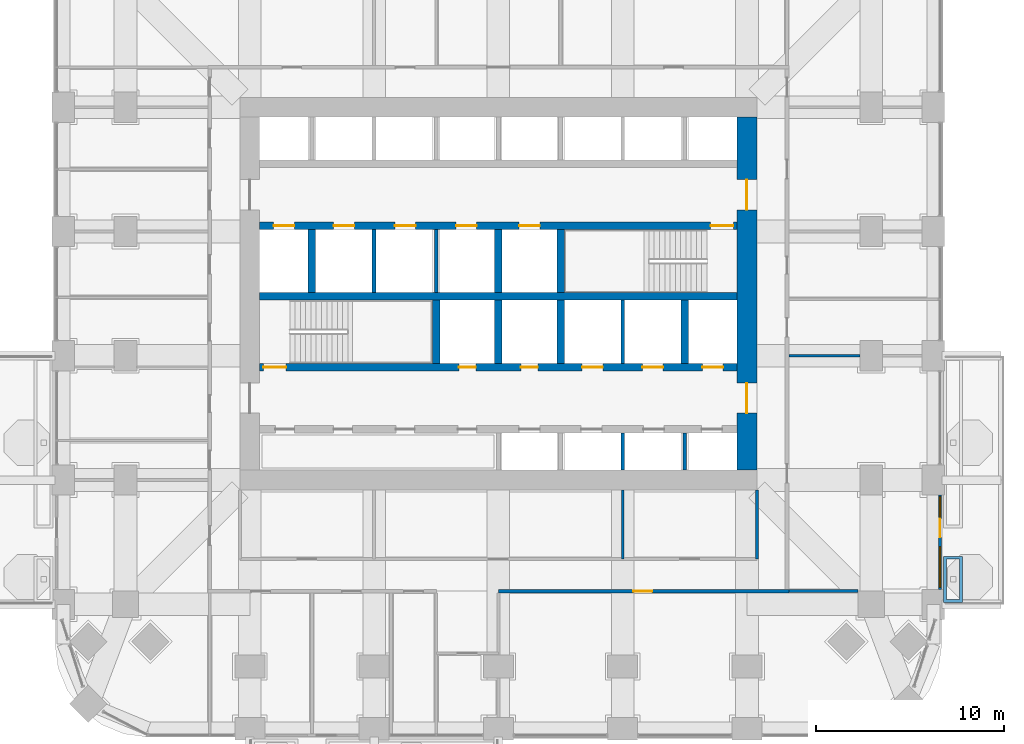
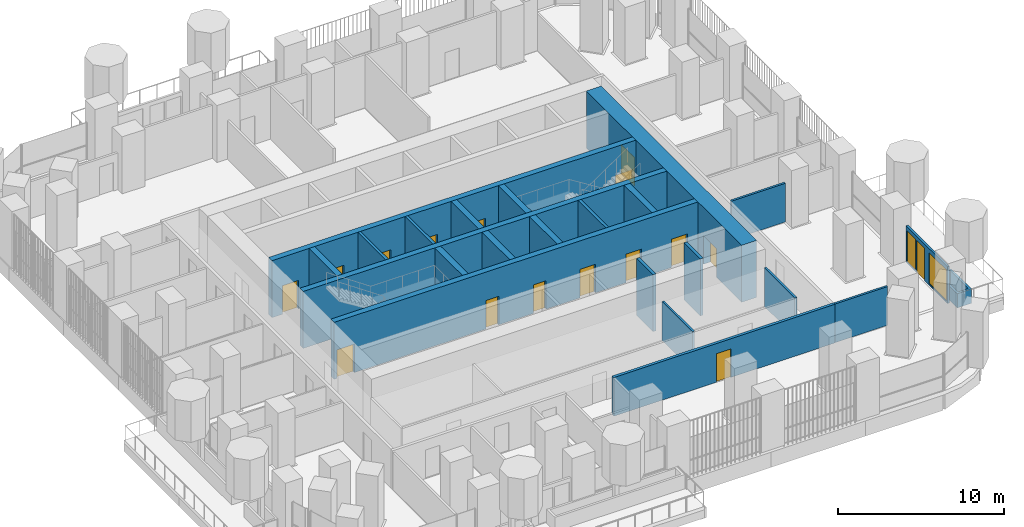
# One storey, part 14 of 21: 23 walls, 16 doors, 2 windows, 18 openings.
"""IFC4 building model written with IfcOpenShell, lengths in metres."""

from ifc_helpers import new_model, si_unit, direction, frame, frame_2d, origin, place, context, subcontext, project, spatial, polyline, rectangle, outline, extrude, material, layer, layer_set, type_object, element, fill, save


model = new_model("IFC4")

# Units and contexts
model_context = context("Model", 3, precision=1e-05, world=origin(), true_north=direction((0.0, 1.0)))
body_context = subcontext(model_context, "Body", "Model", "MODEL_VIEW")
ifc_project = project(units=[si_unit("LENGTHUNIT", "METRE"), si_unit("AREAUNIT", "SQUARE_METRE"), si_unit("VOLUMEUNIT", "CUBIC_METRE"), si_unit("PLANEANGLEUNIT", "RADIAN"), si_unit("MASSUNIT", "GRAM", prefix="KILO")], contexts=[model_context])

# Site, building, storey
site_placement = place(None, origin())
site = spatial("IfcSite", under=ifc_project, at=site_placement, CompositionType="ELEMENT")
building_placement = place(site_placement, origin())
building = spatial("IfcBuilding", under=site, at=building_placement, Name="Cobogo Forest Laboratory Tower", CompositionType="ELEMENT")
storey_placement = place(building_placement, frame((0.0, 0.0, 90.60009765625)))
storey = spatial("IfcBuildingStorey", under=building, at=storey_placement, Name="L20", CompositionType="ELEMENT", Elevation=90.60009765625)

# Wall, openings, doors
ifc_material_1 = material(Name="Concrete HA-50 (C50/60)", Category="concrete")
ifc_layer_1 = layer(ifc_material_1, 0.39990234375)
ifc_layer_set_1 = layer_set([ifc_layer_1], Name="CI400 core inner wall 400")
wall_type_1 = type_object("IfcWallType", Name="CI400 core inner wall 400", PredefinedType="SHEAR", material=ifc_layer_set_1)
wall_1_placement = place(storey_placement, frame((13.72509765625, 19.199951171875, 0.0), z_axis=(0.0, 0.0, 1.0), x_axis=(1.0, 0.0, 0.0)))
wall_1 = element("IfcWall", 1, at=wall_1_placement, inside=storey, type_object=wall_type_1, Name="Core wall CI-19.2 L20", PredefinedType="SHEAR", context=body_context, shape_type="SweptSolid", body=[
    extrude(rectangle(XDim=25.349853515625, YDim=0.39990234375, at=frame_2d((12.6748046875, 0.0))), origin(), (0.0, 0.0, 1.0), 4.199951171875),
])
opening_1_placement = place(wall_1_placement, frame((10.574951171875, 0.0, 0.0)))
opening_1 = element("IfcOpeningElement", 2, at=opening_1_placement, cuts=wall_1, Name="Opening L20-D23", PredefinedType="OPENING", context=body_context, shape_type="SweptSolid", body=[
    extrude(rectangle(XDim=0.89990234375, YDim=2.10009765625, at=frame_2d((0.449951171875, 1.050048828125))), frame((0.0, 0.2099609375, 0.0), z_axis=(0.0, -1.0, 0.0), x_axis=(1.0, 0.0, 0.0)), (0.0, 0.0, 1.0), 0.419921875),
])
opening_2_placement = place(wall_1_placement, frame((13.875, 0.0, 0.0)))
opening_2 = element("IfcOpeningElement", 3, at=opening_2_placement, cuts=wall_1, Name="Opening L20-D24", PredefinedType="OPENING", context=body_context, shape_type="SweptSolid", body=[
    extrude(rectangle(XDim=0.89990234375, YDim=2.10009765625, at=frame_2d((0.449951171875, 1.050048828125))), frame((0.0, 0.2099609375, 0.0), z_axis=(0.0, -1.0, 0.0), x_axis=(1.0, 0.0, 0.0)), (0.0, 0.0, 1.0), 0.419921875),
])
opening_3_placement = place(wall_1_placement, frame((0.199951171875, 0.0, 0.0)))
opening_3 = element("IfcOpeningElement", 4, at=opening_3_placement, cuts=wall_1, Name="Opening L20-D22", PredefinedType="OPENING", context=body_context, shape_type="SweptSolid", body=[
    extrude(rectangle(XDim=1.199951171875, YDim=2.10009765625, at=frame_2d((0.60009765625, 1.050048828125))), frame((0.0, 0.2099609375, 0.0), z_axis=(0.0, -1.0, 0.0), x_axis=(1.0, 0.0, 0.0)), (0.0, 0.0, 1.0), 0.419921875),
])
opening_4_placement = place(wall_1_placement, frame((23.512451171875, 0.0, 0.0)))
opening_4 = element("IfcOpeningElement", 5, at=opening_4_placement, cuts=wall_1, Name="Opening L20-LD-FL2", PredefinedType="OPENING", context=body_context, shape_type="SweptSolid", body=[
    extrude(rectangle(XDim=1.10009765625, YDim=2.10009765625, at=frame_2d((0.550048828125, 1.050048828125))), frame((0.0, 0.2099609375, 0.0), z_axis=(0.0, -1.0, 0.0), x_axis=(1.0, 0.0, 0.0)), (0.0, 0.0, 1.0), 0.419921875),
])
opening_5_placement = place(wall_1_placement, frame((17.125, 0.0, 0.0)))
opening_5 = element("IfcOpeningElement", 6, at=opening_5_placement, cuts=wall_1, Name="Opening L20-LD-LS1", PredefinedType="OPENING", context=body_context, shape_type="SweptSolid", body=[
    extrude(rectangle(XDim=1.10009765625, YDim=2.10009765625, at=frame_2d((0.550048828125, 1.050048828125))), frame((0.0, 0.2099609375, 0.0), z_axis=(0.0, -1.0, 0.0), x_axis=(1.0, 0.0, 0.0)), (0.0, 0.0, 1.0), 0.419921875),
])
opening_6_placement = place(wall_1_placement, frame((20.324951171875, 0.0, 0.0)))
opening_6 = element("IfcOpeningElement", 7, at=opening_6_placement, cuts=wall_1, Name="Opening L20-LD-LS2", PredefinedType="OPENING", context=body_context, shape_type="SweptSolid", body=[
    extrude(rectangle(XDim=1.10009765625, YDim=2.10009765625, at=frame_2d((0.550048828125, 1.050048828125))), frame((0.0, 0.2099609375, 0.0), z_axis=(0.0, -1.0, 0.0), x_axis=(1.0, 0.0, 0.0)), (0.0, 0.0, 1.0), 0.419921875),
])
ifc_material_2 = material(Name="Steel fire door", Category="steel")
door_type_1 = type_object("IfcDoorType", Name="DS1 protected stair door 1200 EI2 60", OperationType="SINGLE_SWING_LEFT", PredefinedType="DOOR", material=ifc_material_2)
door_1_placement = place(opening_3_placement, origin())
door_1 = element("IfcDoor", 8, at=door_1_placement, inside=storey, type_object=door_type_1, Name="Door L20-ST1", OperationType="SINGLE_SWING_LEFT", OverallHeight=2.10009765625, OverallWidth=1.199951171875, PredefinedType="DOOR", context=body_context, shape_type="SweptSolid", body=[
    extrude(rectangle(XDim=1.199951171875, YDim=2.10009765625, at=frame_2d((0.60009765625, 1.050048828125))), frame((0.0, 0.02490234375, 0.0), z_axis=(0.0, -1.0, 0.0), x_axis=(1.0, 0.0, 0.0)), (0.0, 0.0, 1.0), 0.050048828125),
])
fill(opening_3, door_1)
door_type_2 = type_object("IfcDoorType", Name="FD4 riser access door 900 EI2 60", OperationType="SINGLE_SWING_LEFT", PredefinedType="DOOR", material=ifc_material_2)
door_2_placement = place(opening_1_placement, origin())
door_2 = element("IfcDoor", 9, at=door_2_placement, inside=storey, type_object=door_type_2, Name="Door L20-R1", OperationType="SINGLE_SWING_LEFT", OverallHeight=2.10009765625, OverallWidth=0.89990234375, PredefinedType="DOOR", context=body_context, shape_type="SweptSolid", body=[
    extrude(rectangle(XDim=0.89990234375, YDim=2.10009765625, at=frame_2d((0.449951171875, 1.050048828125))), frame((0.0, 0.02490234375, 0.0), z_axis=(0.0, -1.0, 0.0), x_axis=(1.0, 0.0, 0.0)), (0.0, 0.0, 1.0), 0.050048828125),
])
fill(opening_1, door_2)
door_3_placement = place(opening_2_placement, origin())
door_3 = element("IfcDoor", 10, at=door_3_placement, inside=storey, type_object=door_type_2, Name="Door L20-R2", OperationType="SINGLE_SWING_RIGHT", OverallHeight=2.10009765625, OverallWidth=0.89990234375, PredefinedType="DOOR", context=body_context, shape_type="SweptSolid", body=[
    extrude(rectangle(XDim=0.89990234375, YDim=2.10009765625, at=frame_2d((0.449951171875, 1.050048828125))), frame((0.0, 0.02490234375, 0.0), z_axis=(0.0, -1.0, 0.0), x_axis=(1.0, 0.0, 0.0)), (0.0, 0.0, 1.0), 0.050048828125),
])
fill(opening_2, door_3)
ifc_material_3 = material(Name="Stainless steel lift door", Category="steel")
door_type_3 = type_object("IfcDoorType", Name="LD lift landing door 1100", OperationType="DOUBLE_DOOR_SLIDING", PredefinedType="DOOR", material=ifc_material_3)
door_4_placement = place(opening_4_placement, origin())
door_4 = element("IfcDoor", 11, at=door_4_placement, inside=storey, type_object=door_type_3, Name="Lift landing door FL2 L20", OperationType="DOUBLE_DOOR_SLIDING", OverallHeight=2.10009765625, OverallWidth=1.10009765625, PredefinedType="DOOR", context=body_context, shape_type="SweptSolid", body=[
    extrude(rectangle(XDim=1.10009765625, YDim=2.10009765625, at=frame_2d((0.550048828125, 1.050048828125))), frame((0.0, 0.02490234375, 0.0), z_axis=(0.0, -1.0, 0.0), x_axis=(1.0, 0.0, 0.0)), (0.0, 0.0, 1.0), 0.050048828125),
])
fill(opening_4, door_4)
door_5_placement = place(opening_5_placement, origin())
door_5 = element("IfcDoor", 12, at=door_5_placement, inside=storey, type_object=door_type_3, Name="Lift landing door LS1 L20", OperationType="DOUBLE_DOOR_SLIDING", OverallHeight=2.10009765625, OverallWidth=1.10009765625, PredefinedType="DOOR", context=body_context, shape_type="SweptSolid", body=[
    extrude(rectangle(XDim=1.10009765625, YDim=2.10009765625, at=frame_2d((0.550048828125, 1.050048828125))), frame((0.0, 0.02490234375, 0.0), z_axis=(0.0, -1.0, 0.0), x_axis=(1.0, 0.0, 0.0)), (0.0, 0.0, 1.0), 0.050048828125),
])
fill(opening_5, door_5)
door_6_placement = place(opening_6_placement, origin())
door_6 = element("IfcDoor", 13, at=door_6_placement, inside=storey, type_object=door_type_3, Name="Lift landing door LS2 L20", OperationType="DOUBLE_DOOR_SLIDING", OverallHeight=2.10009765625, OverallWidth=1.10009765625, PredefinedType="DOOR", context=body_context, shape_type="SweptSolid", body=[
    extrude(rectangle(XDim=1.10009765625, YDim=2.10009765625, at=frame_2d((0.550048828125, 1.050048828125))), frame((0.0, 0.02490234375, 0.0), z_axis=(0.0, -1.0, 0.0), x_axis=(1.0, 0.0, 0.0)), (0.0, 0.0, 1.0), 0.050048828125),
])
fill(opening_6, door_6)

# Wall
wall_2_placement = place(storey_placement, frame((13.72509765625, 22.949951171875, 0.0), z_axis=(0.0, 0.0, 1.0), x_axis=(1.0, 0.0, 0.0)))
element("IfcWall", 14, at=wall_2_placement, inside=storey, type_object=wall_type_1, Name="Core wall CI-22.95 L20", PredefinedType="SHEAR", context=body_context, shape_type="SweptSolid", body=[
    extrude(rectangle(XDim=25.349853515625, YDim=0.39990234375, at=frame_2d((12.6748046875, 0.0))), origin(), (0.0, 0.0, 1.0), 4.199951171875),
])

# Wall, openings, doors
wall_3_placement = place(storey_placement, frame((13.72509765625, 26.699951171875, 0.0), z_axis=(0.0, 0.0, 1.0), x_axis=(1.0, 0.0, 0.0)))
wall_3 = element("IfcWall", 15, at=wall_3_placement, inside=storey, type_object=wall_type_1, Name="Core wall CI-26.7 L20", PredefinedType="SHEAR", context=body_context, shape_type="SweptSolid", body=[
    extrude(rectangle(XDim=25.349853515625, YDim=0.39990234375, at=frame_2d((12.6748046875, 0.0))), origin(), (0.0, 0.0, 1.0), 4.199951171875),
])
opening_7_placement = place(wall_3_placement, frame((23.949951171875, 0.0, 0.0)))
opening_7 = element("IfcOpeningElement", 16, at=opening_7_placement, cuts=wall_3, Name="Opening L20-D29", PredefinedType="OPENING", context=body_context, shape_type="SweptSolid", body=[
    extrude(rectangle(XDim=1.199951171875, YDim=2.10009765625, at=frame_2d((0.60009765625, 1.050048828125))), frame((0.0, 0.2099609375, 0.0), z_axis=(0.0, -1.0, 0.0), x_axis=(1.0, 0.0, 0.0)), (0.0, 0.0, 1.0), 0.419921875),
])
opening_8_placement = place(wall_3_placement, frame((0.737548828125, 0.0, 0.0)))
opening_8 = element("IfcOpeningElement", 17, at=opening_8_placement, cuts=wall_3, Name="Opening L20-LD-FL1", PredefinedType="OPENING", context=body_context, shape_type="SweptSolid", body=[
    extrude(rectangle(XDim=1.10009765625, YDim=2.10009765625, at=frame_2d((0.550048828125, 1.050048828125))), frame((0.0, 0.2099609375, 0.0), z_axis=(0.0, -1.0, 0.0), x_axis=(1.0, 0.0, 0.0)), (0.0, 0.0, 1.0), 0.419921875),
])
opening_9_placement = place(wall_3_placement, frame((3.925048828125, 0.0, 0.0)))
opening_9 = element("IfcOpeningElement", 18, at=opening_9_placement, cuts=wall_3, Name="Opening L20-LD-LS3", PredefinedType="OPENING", context=body_context, shape_type="SweptSolid", body=[
    extrude(rectangle(XDim=1.10009765625, YDim=2.10009765625, at=frame_2d((0.550048828125, 1.050048828125))), frame((0.0, 0.2099609375, 0.0), z_axis=(0.0, -1.0, 0.0), x_axis=(1.0, 0.0, 0.0)), (0.0, 0.0, 1.0), 0.419921875),
])
opening_10_placement = place(wall_3_placement, frame((7.175048828125, 0.0, 0.0)))
opening_10 = element("IfcOpeningElement", 19, at=opening_10_placement, cuts=wall_3, Name="Opening L20-LD-LS4", PredefinedType="OPENING", context=body_context, shape_type="SweptSolid", body=[
    extrude(rectangle(XDim=1.10009765625, YDim=2.10009765625, at=frame_2d((0.550048828125, 1.050048828125))), frame((0.0, 0.2099609375, 0.0), z_axis=(0.0, -1.0, 0.0), x_axis=(1.0, 0.0, 0.0)), (0.0, 0.0, 1.0), 0.419921875),
])
opening_11_placement = place(wall_3_placement, frame((10.425048828125, 0.0, 0.0)))
opening_11 = element("IfcOpeningElement", 20, at=opening_11_placement, cuts=wall_3, Name="Opening L20-LD-LS5", PredefinedType="OPENING", context=body_context, shape_type="SweptSolid", body=[
    extrude(rectangle(XDim=1.10009765625, YDim=2.10009765625, at=frame_2d((0.550048828125, 1.050048828125))), frame((0.0, 0.2099609375, 0.0), z_axis=(0.0, -1.0, 0.0), x_axis=(1.0, 0.0, 0.0)), (0.0, 0.0, 1.0), 0.419921875),
])
opening_12_placement = place(wall_3_placement, frame((13.77490234375, 0.0, 0.0)))
opening_12 = element("IfcOpeningElement", 21, at=opening_12_placement, cuts=wall_3, Name="Opening L20-LD-LS6", PredefinedType="OPENING", context=body_context, shape_type="SweptSolid", body=[
    extrude(rectangle(XDim=1.10009765625, YDim=2.10009765625, at=frame_2d((0.550048828125, 1.050048828125))), frame((0.0, 0.2099609375, 0.0), z_axis=(0.0, -1.0, 0.0), x_axis=(1.0, 0.0, 0.0)), (0.0, 0.0, 1.0), 0.419921875),
])
door_7_placement = place(opening_7_placement, origin())
door_7 = element("IfcDoor", 22, at=door_7_placement, inside=storey, type_object=door_type_1, Name="Door L20-ST2", OperationType="SINGLE_SWING_RIGHT", OverallHeight=2.10009765625, OverallWidth=1.199951171875, PredefinedType="DOOR", context=body_context, shape_type="SweptSolid", body=[
    extrude(rectangle(XDim=1.199951171875, YDim=2.10009765625, at=frame_2d((0.60009765625, 1.050048828125))), frame((0.0, 0.02490234375, 0.0), z_axis=(0.0, -1.0, 0.0), x_axis=(1.0, 0.0, 0.0)), (0.0, 0.0, 1.0), 0.050048828125),
])
fill(opening_7, door_7)
door_8_placement = place(opening_8_placement, origin())
door_8 = element("IfcDoor", 23, at=door_8_placement, inside=storey, type_object=door_type_3, Name="Lift landing door FL1 L20", OperationType="DOUBLE_DOOR_SLIDING", OverallHeight=2.10009765625, OverallWidth=1.10009765625, PredefinedType="DOOR", context=body_context, shape_type="SweptSolid", body=[
    extrude(rectangle(XDim=1.10009765625, YDim=2.10009765625, at=frame_2d((0.550048828125, 1.050048828125))), frame((0.0, 0.02490234375, 0.0), z_axis=(0.0, -1.0, 0.0), x_axis=(1.0, 0.0, 0.0)), (0.0, 0.0, 1.0), 0.050048828125),
])
fill(opening_8, door_8)
door_9_placement = place(opening_9_placement, origin())
door_9 = element("IfcDoor", 24, at=door_9_placement, inside=storey, type_object=door_type_3, Name="Lift landing door LS3 L20", OperationType="DOUBLE_DOOR_SLIDING", OverallHeight=2.10009765625, OverallWidth=1.10009765625, PredefinedType="DOOR", context=body_context, shape_type="SweptSolid", body=[
    extrude(rectangle(XDim=1.10009765625, YDim=2.10009765625, at=frame_2d((0.550048828125, 1.050048828125))), frame((0.0, 0.02490234375, 0.0), z_axis=(0.0, -1.0, 0.0), x_axis=(1.0, 0.0, 0.0)), (0.0, 0.0, 1.0), 0.050048828125),
])
fill(opening_9, door_9)
door_10_placement = place(opening_10_placement, origin())
door_10 = element("IfcDoor", 25, at=door_10_placement, inside=storey, type_object=door_type_3, Name="Lift landing door LS4 L20", OperationType="DOUBLE_DOOR_SLIDING", OverallHeight=2.10009765625, OverallWidth=1.10009765625, PredefinedType="DOOR", context=body_context, shape_type="SweptSolid", body=[
    extrude(rectangle(XDim=1.10009765625, YDim=2.10009765625, at=frame_2d((0.550048828125, 1.050048828125))), frame((0.0, 0.02490234375, 0.0), z_axis=(0.0, -1.0, 0.0), x_axis=(1.0, 0.0, 0.0)), (0.0, 0.0, 1.0), 0.050048828125),
])
fill(opening_10, door_10)
door_11_placement = place(opening_11_placement, origin())
door_11 = element("IfcDoor", 26, at=door_11_placement, inside=storey, type_object=door_type_3, Name="Lift landing door LS5 L20", OperationType="DOUBLE_DOOR_SLIDING", OverallHeight=2.10009765625, OverallWidth=1.10009765625, PredefinedType="DOOR", context=body_context, shape_type="SweptSolid", body=[
    extrude(rectangle(XDim=1.10009765625, YDim=2.10009765625, at=frame_2d((0.550048828125, 1.050048828125))), frame((0.0, 0.02490234375, 0.0), z_axis=(0.0, -1.0, 0.0), x_axis=(1.0, 0.0, 0.0)), (0.0, 0.0, 1.0), 0.050048828125),
])
fill(opening_11, door_11)
door_12_placement = place(opening_12_placement, origin())
door_12 = element("IfcDoor", 27, at=door_12_placement, inside=storey, type_object=door_type_3, Name="Lift landing door LS6 L20", OperationType="DOUBLE_DOOR_SLIDING", OverallHeight=2.10009765625, OverallWidth=1.10009765625, PredefinedType="DOOR", context=body_context, shape_type="SweptSolid", body=[
    extrude(rectangle(XDim=1.10009765625, YDim=2.10009765625, at=frame_2d((0.550048828125, 1.050048828125))), frame((0.0, 0.02490234375, 0.0), z_axis=(0.0, -1.0, 0.0), x_axis=(1.0, 0.0, 0.0)), (0.0, 0.0, 1.0), 0.050048828125),
])
fill(opening_12, door_12)

# Walls
for number, where, z_axis, x_axis, name in (
    (28, (23.10009765625, 19.39990234375, 0.0), (0.0, 0.0, 1.0), (0.0, 1.0, 0.0), "Core wall CX-23.1 L20"),
    (29, (26.39990234375, 19.39990234375, 0.0), (0.0, 0.0, 1.0), (0.0, 1.0, 0.0), "Core wall CX-26.4S L20"),
    (30, (29.699951171875, 19.39990234375, 0.0), (0.0, 0.0, 1.0), (0.0, 1.0, 0.0), "Core wall CX-29.7S L20"),
    (31, (36.300048828125, 19.39990234375, 0.0), (0.0, 0.0, 1.0), (0.0, 1.0, 0.0), "Core wall CX-36.3 L20"),
    (32, (16.5, 23.14990234375, 0.0), (0.0, 0.0, 1.0), (0.0, 1.0, 0.0), "Core wall CX-16.5 L20"),
    (33, (26.39990234375, 23.14990234375, 0.0), (0.0, 0.0, 1.0), (0.0, 1.0, 0.0), "Core wall CX-26.4N L20"),
    (34, (29.699951171875, 23.14990234375, 0.0), (0.0, 0.0, 1.0), (0.0, 1.0, 0.0), "Core wall CX-29.7N L20"),
):
    element("IfcWall", number, at=place(storey_placement, frame(where, z_axis=z_axis, x_axis=x_axis)), inside=storey, type_object=wall_type_1, Name=name, PredefinedType="SHEAR", context=body_context, shape_type="SweptSolid", body=[
        extrude(rectangle(XDim=3.35009765625, YDim=0.39990234375, at=frame_2d((1.675048828125, 0.0))), origin(), (0.0, 0.0, 1.0), 4.199951171875),
    ])

# Wall, openings, doors
ifc_layer_2 = layer(ifc_material_1, 1.050048828125)
ifc_layer_set_2 = layer_set([ifc_layer_2], Name="CW1050 core outer wall 1050")
wall_type_2 = type_object("IfcWallType", Name="CW1050 core outer wall 1050", PredefinedType="SHEAR", material=ifc_layer_set_2)
wall_4_placement = place(storey_placement, frame((39.60009765625, 13.72509765625, 0.0), z_axis=(0.0, 0.0, 1.0), x_axis=(0.0, 1.0, 0.0)))
wall_4 = element("IfcWall", 35, at=wall_4_placement, inside=storey, type_object=wall_type_2, Name="Core wall CO-E L20", PredefinedType="SHEAR", context=body_context, shape_type="SweptSolid", body=[
    extrude(rectangle(XDim=18.75, YDim=1.050048828125, at=frame_2d((9.375, 0.0))), origin(), (0.0, 0.0, 1.0), 4.199951171875),
])
opening_13_placement = place(wall_4_placement, frame((3.02490234375, 0.0, 0.0)))
opening_13 = element("IfcOpeningElement", 36, at=opening_13_placement, cuts=wall_4, Name="Opening L20-D21", PredefinedType="OPENING", context=body_context, shape_type="SweptSolid", body=[
    extrude(rectangle(XDim=1.60009765625, YDim=2.10009765625, at=frame_2d((0.800048828125, 1.050048828125))), frame((0.0, 0.534912109375, 0.0), z_axis=(0.0, -1.0, 0.0), x_axis=(1.0, 0.0, 0.0)), (0.0, 0.0, 1.0), 1.070068359375),
])
opening_14_placement = place(wall_4_placement, frame((13.824951171875, 0.0, 0.0)))
opening_14 = element("IfcOpeningElement", 37, at=opening_14_placement, cuts=wall_4, Name="Opening L20-D32", PredefinedType="OPENING", context=body_context, shape_type="SweptSolid", body=[
    extrude(rectangle(XDim=1.60009765625, YDim=2.10009765625, at=frame_2d((0.800048828125, 1.050048828125))), frame((0.0, 0.534912109375, 0.0), z_axis=(0.0, -1.0, 0.0), x_axis=(1.0, 0.0, 0.0)), (0.0, 0.0, 1.0), 1.070068359375),
])
door_type_4 = type_object("IfcDoorType", Name="DS2 protected lobby door pair 1600 EI2 60", OperationType="DOUBLE_DOOR_DOUBLE_SWING", PredefinedType="DOOR", material=ifc_material_2)
door_13_placement = place(opening_13_placement, origin())
door_13 = element("IfcDoor", 38, at=door_13_placement, inside=storey, type_object=door_type_4, Name="Door L20-CO-E-S", OperationType="DOUBLE_DOOR_DOUBLE_SWING", OverallHeight=2.10009765625, OverallWidth=1.60009765625, PredefinedType="DOOR", context=body_context, shape_type="SweptSolid", body=[
    extrude(rectangle(XDim=1.60009765625, YDim=2.10009765625, at=frame_2d((0.800048828125, 1.050048828125))), frame((0.0, 0.02490234375, 0.0), z_axis=(0.0, -1.0, 0.0), x_axis=(1.0, 0.0, 0.0)), (0.0, 0.0, 1.0), 0.050048828125),
])
fill(opening_13, door_13)
door_14_placement = place(opening_14_placement, origin())
door_14 = element("IfcDoor", 39, at=door_14_placement, inside=storey, type_object=door_type_4, Name="Door L20-CO-E-N", OperationType="DOUBLE_DOOR_DOUBLE_SWING", OverallHeight=2.10009765625, OverallWidth=1.60009765625, PredefinedType="DOOR", context=body_context, shape_type="SweptSolid", body=[
    extrude(rectangle(XDim=1.60009765625, YDim=2.10009765625, at=frame_2d((0.800048828125, 1.050048828125))), frame((0.0, 0.02490234375, 0.0), z_axis=(0.0, -1.0, 0.0), x_axis=(1.0, 0.0, 0.0)), (0.0, 0.0, 1.0), 0.050048828125),
])
fill(opening_14, door_14)

# Wall, openings, door, windows
ifc_material_4 = material(Name="Aluminium framed glazed screen", Category="aluminium")
ifc_layer_3 = layer(ifc_material_4, 0.14990234375)
ifc_layer_set_3 = layer_set([ifc_layer_3], Name="GS1 glazed door screen 150")
wall_type_3 = type_object("IfcWallType", Name="GS1 glazed door screen 150", PredefinedType="SOLIDWALL", material=ifc_layer_set_3)
wall_5_placement = place(storey_placement, frame((49.85009765625, 7.39990234375, 0.0), z_axis=(0.0, 0.0, 1.0), x_axis=(0.0, 1.0, 0.0)))
wall_5 = element("IfcWall", 40, at=wall_5_placement, inside=storey, type_object=wall_type_3, Name="Door screen BAL-E1 L20", PredefinedType="SOLIDWALL", context=body_context, shape_type="SweptSolid", body=[
    extrude(rectangle(XDim=5.0, YDim=0.14990234375, at=frame_2d((2.5, 0.0))), origin(), (0.0, 0.0, 1.0), 2.699951171875),
])
opening_15_placement = place(wall_5_placement, frame((2.75, 0.0, 0.0)))
opening_15 = element("IfcOpeningElement", 41, at=opening_15_placement, cuts=wall_5, Name="Opening L20-D12", PredefinedType="OPENING", context=body_context, shape_type="SweptSolid", body=[
    extrude(rectangle(XDim=1.0, YDim=2.39990234375, at=frame_2d((0.5, 1.199951171875))), frame((0.0, 0.0849609375, 0.0), z_axis=(0.0, -1.0, 0.0), x_axis=(1.0, 0.0, 0.0)), (0.0, 0.0, 1.0), 0.169921875),
])
opening_16_placement = place(wall_5_placement, frame((0.10009765625, 0.0, 0.10009765625)))
opening_16 = element("IfcOpeningElement", 42, at=opening_16_placement, cuts=wall_5, Name="Opening L20-W04", PredefinedType="OPENING", context=body_context, shape_type="SweptSolid", body=[
    extrude(rectangle(XDim=2.14990234375, YDim=2.300048828125, at=frame_2d((1.074951171875, 1.14990234375))), frame((0.0, 0.0849609375, 0.0), z_axis=(0.0, -1.0, 0.0), x_axis=(1.0, 0.0, 0.0)), (0.0, 0.0, 1.0), 0.169921875),
])
opening_17_placement = place(wall_5_placement, frame((3.85009765625, 0.0, 0.10009765625)))
opening_17 = element("IfcOpeningElement", 43, at=opening_17_placement, cuts=wall_5, Name="Opening L20-W06", PredefinedType="OPENING", context=body_context, shape_type="SweptSolid", body=[
    extrude(rectangle(XDim=1.050048828125, YDim=2.300048828125, at=frame_2d((0.52490234375, 1.14990234375))), frame((0.0, 0.0849609375, 0.0), z_axis=(0.0, -1.0, 0.0), x_axis=(1.0, 0.0, 0.0)), (0.0, 0.0, 1.0), 0.169921875),
])
ifc_material_5 = material(Name="Aluminium glazed door", Category="aluminium")
door_type_5 = type_object("IfcDoorType", Name="DB1 balcony door 1000 glazed", OperationType="SINGLE_SWING_LEFT", PredefinedType="DOOR", material=ifc_material_5)
door_15_placement = place(opening_15_placement, origin())
door_15 = element("IfcDoor", 44, at=door_15_placement, inside=storey, type_object=door_type_5, Name="Door L20-BAL-E1", OperationType="SINGLE_SWING_RIGHT", OverallHeight=2.39990234375, OverallWidth=1.0, PredefinedType="DOOR", context=body_context, shape_type="SweptSolid", body=[
    extrude(rectangle(XDim=1.0, YDim=2.39990234375, at=frame_2d((0.5, 1.199951171875))), frame((0.0, 0.02490234375, 0.0), z_axis=(0.0, -1.0, 0.0), x_axis=(1.0, 0.0, 0.0)), (0.0, 0.0, 1.0), 0.050048828125),
])
fill(opening_15, door_15)
ifc_material_6 = material(Name="Aluminium framed glazing", Category="aluminium")
window_type_1 = type_object("IfcWindowType", Name="WG13 fixed glazed light 2150x2300", PartitioningType="SINGLE_PANEL", PredefinedType="WINDOW", material=ifc_material_6)
window_1_placement = place(opening_16_placement, origin())
window_1 = element("IfcWindow", 45, at=window_1_placement, inside=storey, type_object=window_type_1, Name="Window L20-BAL-E1-1", OverallHeight=2.300048828125, OverallWidth=2.14990234375, PartitioningType="SINGLE_PANEL", PredefinedType="WINDOW", context=body_context, shape_type="SweptSolid", body=[
    extrude(rectangle(XDim=2.14990234375, YDim=2.300048828125, at=frame_2d((1.074951171875, 1.14990234375))), frame((0.0, 0.030029296875, 0.0), z_axis=(0.0, -1.0, 0.0), x_axis=(1.0, 0.0, 0.0)), (0.0, 0.0, 1.0), 0.06005859375),
])
fill(opening_16, window_1)
window_type_2 = type_object("IfcWindowType", Name="WG14 fixed glazed light 1050x2300", PartitioningType="SINGLE_PANEL", PredefinedType="WINDOW", material=ifc_material_6)
window_2_placement = place(opening_17_placement, origin())
window_2 = element("IfcWindow", 46, at=window_2_placement, inside=storey, type_object=window_type_2, Name="Window L20-BAL-E1-2", OverallHeight=2.300048828125, OverallWidth=1.050048828125, PartitioningType="SINGLE_PANEL", PredefinedType="WINDOW", context=body_context, shape_type="SweptSolid", body=[
    extrude(rectangle(XDim=1.050048828125, YDim=2.300048828125, at=frame_2d((0.52490234375, 1.14990234375))), frame((0.0, 0.030029296875, 0.0), z_axis=(0.0, -1.0, 0.0), x_axis=(1.0, 0.0, 0.0)), (0.0, 0.0, 1.0), 0.06005859375),
])
fill(opening_17, window_2)

# Walls
ifc_material_7 = material(Name="Gypsum board on steel studs", Category="steel")
ifc_layer_4 = layer(ifc_material_7, 0.14990234375)
ifc_layer_set_4 = layer_set([ifc_layer_4], Name="PT1 laboratory partition 150")
wall_type_4 = type_object("IfcWallType", Name="PT1 laboratory partition 150", PredefinedType="PARTITIONING", material=ifc_layer_set_4)
for number, where, z_axis, x_axis, name in (
    (47, (40.125, 12.675048828125, 0.0), (0.0, 0.0, 1.0), (0.0, -1.0, 0.0), "Partition CSTRIP-SE L20"),
    (48, (33.0, 12.675048828125, 0.0), (0.0, 0.0, 1.0), (0.0, -1.0, 0.0), "Partition CSTRIP-S33 L20"),
    (49, (45.5, 7.300048828125, 0.0), (0.0, 0.0, 1.0), (-1.0, 0.0, 0.0), "Partition PW-SE L20"),
):
    element("IfcWall", number, at=place(storey_placement, frame(where, z_axis=z_axis, x_axis=x_axis)), inside=storey, type_object=wall_type_4, Name=name, PredefinedType="PARTITIONING", context=body_context, shape_type="SweptSolid", body=[
        extrude(rectangle(XDim=3.675048828125, YDim=0.14990234375, at=frame_2d((1.83740234375, 0.0))), origin(), (0.0, 0.0, 1.0), 2.849853515625),
    ])
wall_6_placement = place(storey_placement, frame((45.60009765625, 19.800048828125, 0.0), z_axis=(0.0, 0.0, 1.0), x_axis=(-1.0, 0.0, 0.0)))
element("IfcWall", 50, at=wall_6_placement, inside=storey, type_object=wall_type_4, Name="Partition CUT-E19.8-2 L20", PredefinedType="PARTITIONING", context=body_context, shape_type="SweptSolid", body=[
    extrude(rectangle(XDim=3.775146484375, YDim=0.14990234375, at=frame_2d((1.8876953125, 0.0))), origin(), (0.0, 0.0, 1.0), 2.849853515625),
])

# Wall, opening, door
ifc_layer_5 = layer(ifc_material_7, 0.199951171875)
ifc_layer_set_5 = layer_set([ifc_layer_5], Name="PT2 fire-rated corridor partition 200")
wall_type_5 = type_object("IfcWallType", Name="PT2 fire-rated corridor partition 200", PredefinedType="PARTITIONING", material=ifc_layer_set_5)
wall_7_placement = place(storey_placement, frame((26.39990234375, 7.300048828125, 0.0), z_axis=(0.0, 0.0, 1.0), x_axis=(1.0, 0.0, 0.0)))
wall_7 = element("IfcWall", 51, at=wall_7_placement, inside=storey, type_object=wall_type_5, Name="Partition CORR-S-2 L20", PredefinedType="PARTITIONING", context=body_context, shape_type="SweptSolid", body=[
    extrude(rectangle(XDim=15.425048828125, YDim=0.199951171875, at=frame_2d((7.71240234375, 0.0))), origin(), (0.0, 0.0, 1.0), 2.849853515625),
])
opening_18_placement = place(wall_7_placement, frame((7.16259765625, 0.0, 0.0)))
opening_18 = element("IfcOpeningElement", 52, at=opening_18_placement, cuts=wall_7, Name="Opening L20-D06", PredefinedType="OPENING", context=body_context, shape_type="SweptSolid", body=[
    extrude(rectangle(XDim=1.0, YDim=2.10009765625, at=frame_2d((0.5, 1.050048828125))), frame((0.0, 0.10986328125, 0.0), z_axis=(0.0, -1.0, 0.0), x_axis=(1.0, 0.0, 0.0)), (0.0, 0.0, 1.0), 0.219970703125),
])
ifc_material_8 = material(Name="Timber fire door", Category="wood")
door_type_6 = type_object("IfcDoorType", Name="FD2 fire door 1000 EI2 30", OperationType="SINGLE_SWING_LEFT", PredefinedType="DOOR", material=ifc_material_8)
door_16_placement = place(opening_18_placement, origin())
door_16 = element("IfcDoor", 53, at=door_16_placement, inside=storey, type_object=door_type_6, Name="Door L20-S4", OperationType="SINGLE_SWING_LEFT", OverallHeight=2.10009765625, OverallWidth=1.0, PredefinedType="DOOR", context=body_context, shape_type="SweptSolid", body=[
    extrude(rectangle(XDim=1.0, YDim=2.10009765625, at=frame_2d((0.5, 1.050048828125))), frame((0.0, 0.02490234375, 0.0), z_axis=(0.0, -1.0, 0.0), x_axis=(1.0, 0.0, 0.0)), (0.0, 0.0, 1.0), 0.050048828125),
])
fill(opening_18, door_16)

# Walls
ifc_material_9 = material(Name="Concrete HA-40 (C40/50)", Category="concrete")
ifc_layer_6 = layer(ifc_material_9, 0.14990234375)
ifc_layer_set_6 = layer_set([ifc_layer_6], Name="Planter box 1000x1050")
wall_type_6 = type_object("IfcWallType", Name="Planter box 1000x1050", PredefinedType="USERDEFINED", material=ifc_layer_set_6)
wall_8_placement = place(storey_placement, origin())
element("IfcWall", 54, at=wall_8_placement, inside=storey, type_object=wall_type_6, Name="Planter BAL-E1-1 L20", ObjectType="PLANTER", PredefinedType="USERDEFINED", context=body_context, shape_type="SweptSolid", body=[
    extrude(outline(polyline([(50.050048828125, 6.699951171875), (51.050048828125, 6.699951171875), (51.050048828125, 9.14990234375), (50.050048828125, 9.14990234375), (50.050048828125, 6.699951171875)]), holes=[polyline([(50.199951171875, 6.85009765625), (50.89990234375, 6.85009765625), (50.89990234375, 9.0), (50.199951171875, 9.0), (50.199951171875, 6.85009765625)])]), origin(), (0.0, 0.0, 1.0), 1.0498046875),
])
ifc_material_10 = material(Name="Concrete block", Category="concrete")
ifc_layer_7 = layer(ifc_material_10, 0.199951171875)
ifc_layer_set_7 = layer_set([ifc_layer_7], Name="SW200 lift shaft separator 200")
wall_type_7 = type_object("IfcWallType", Name="SW200 lift shaft separator 200", PredefinedType="PARTITIONING", material=ifc_layer_set_7)
for number, where, z_axis, x_axis, name in (
    (55, (33.0, 13.72509765625, 0.0), (0.0, 0.0, 1.0), (0.0, 1.0, 0.0), "Core wall SEP-S6 L20"),
    (56, (36.300048828125, 13.72509765625, 0.0), (0.0, 0.0, 1.0), (0.0, 1.0, 0.0), "Core wall SEP-S7 L20"),
):
    element("IfcWall", number, at=place(storey_placement, frame(where, z_axis=z_axis, x_axis=x_axis)), inside=storey, type_object=wall_type_7, Name=name, PredefinedType="PARTITIONING", context=body_context, shape_type="SweptSolid", body=[
        extrude(rectangle(XDim=1.974853515625, YDim=0.199951171875, at=frame_2d((0.9873046875, 0.0))), origin(), (0.0, 0.0, 1.0), 4.199951171875),
    ])
for number, where, z_axis, x_axis, name in (
    (57, (33.0, 19.39990234375, 0.0), (0.0, 0.0, 1.0), (0.0, 1.0, 0.0), "Core wall SEP-M33.0 L20"),
    (58, (19.800048828125, 23.14990234375, 0.0), (0.0, 0.0, 1.0), (0.0, 1.0, 0.0), "Core wall SEP-M19.8 L20"),
    (59, (23.10009765625, 23.14990234375, 0.0), (0.0, 0.0, 1.0), (0.0, 1.0, 0.0), "Core wall SEP-M23.1 L20"),
):
    element("IfcWall", number, at=place(storey_placement, frame(where, z_axis=z_axis, x_axis=x_axis)), inside=storey, type_object=wall_type_7, Name=name, PredefinedType="PARTITIONING", context=body_context, shape_type="SweptSolid", body=[
        extrude(rectangle(XDim=3.35009765625, YDim=0.199951171875, at=frame_2d((1.675048828125, 0.0))), origin(), (0.0, 0.0, 1.0), 4.199951171875),
    ])

save(model, "model.ifc")
